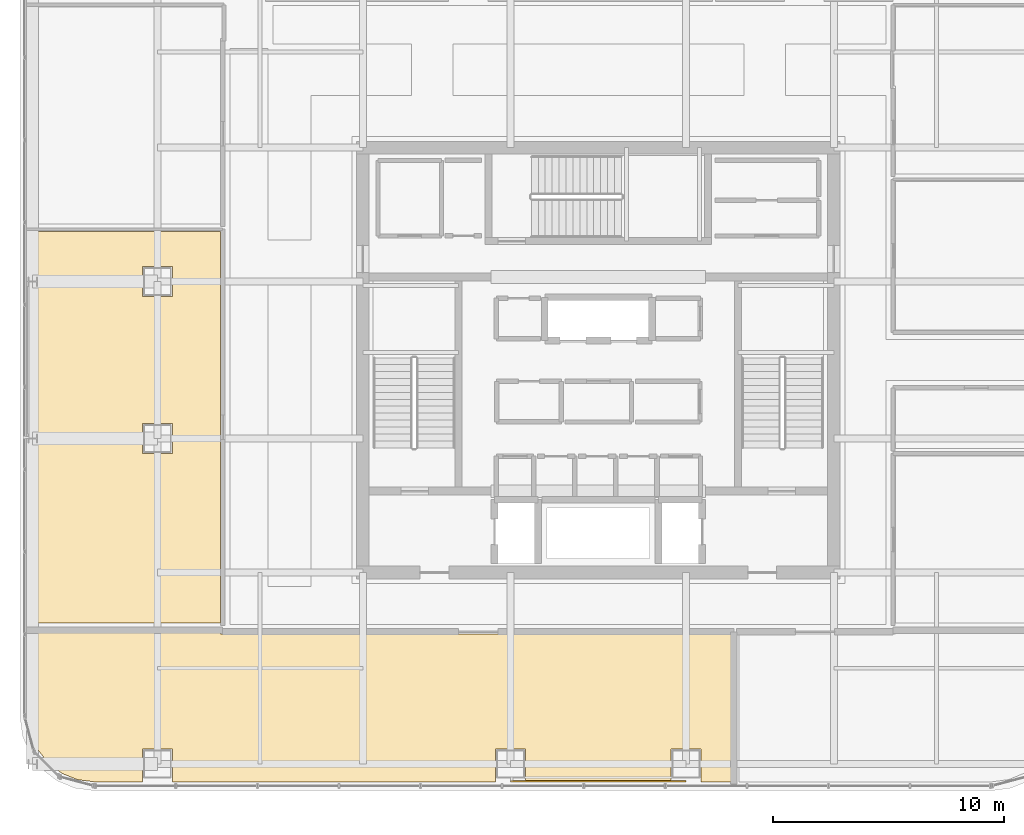
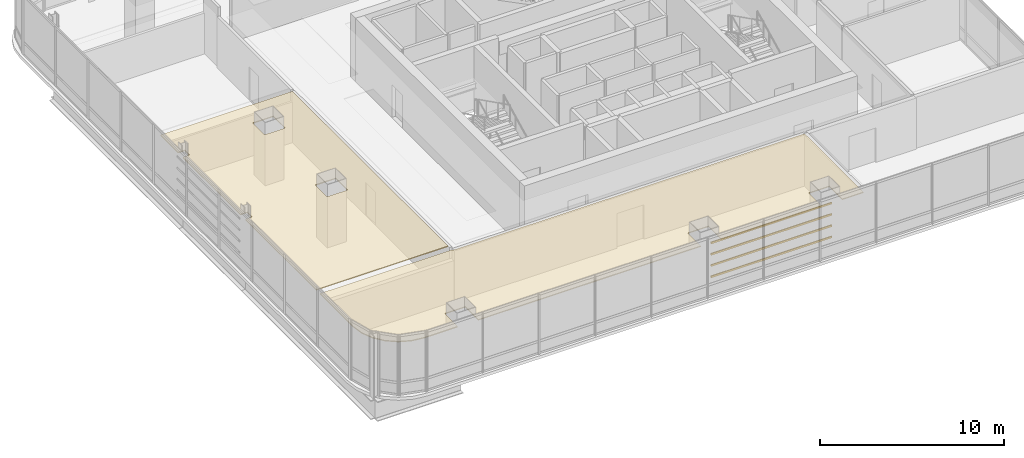
# One storey, part 38 of 42: 4 shading devices, 2 coverings.
"""IFC4 building model written with IfcOpenShell, lengths in metres."""

from ifc_helpers import new_model, si_unit, direction, frame, origin, origin_2d, place, context, subcontext, project, spatial, polyline, hollow_rectangle, outline, extrude, material, layer, layer_set, material_profile, profile_set, type_object, element, save


model = new_model("IFC4")

# Units and contexts
model_context = context("Model", 3, precision=1e-05, world=origin(), true_north=direction((0.0, 1.0)))
body_context = subcontext(model_context, "Body", "Model", "MODEL_VIEW")
ifc_project = project(units=[si_unit("LENGTHUNIT", "METRE"), si_unit("AREAUNIT", "SQUARE_METRE"), si_unit("VOLUMEUNIT", "CUBIC_METRE"), si_unit("PLANEANGLEUNIT", "RADIAN"), si_unit("MASSUNIT", "GRAM", prefix="KILO")], contexts=[model_context])

# Site, building, storey
site_placement = place(None, origin())
site = spatial("IfcSite", under=ifc_project, at=site_placement, CompositionType="ELEMENT")
building_placement = place(site_placement, origin())
building = spatial("IfcBuilding", under=site, at=building_placement, Name="Punatoya Terracotta Tower", CompositionType="ELEMENT")
storey_placement = place(building_placement, frame((0.0, 0.0, 304.800048828125)))
storey = spatial("IfcBuildingStorey", under=building, at=storey_placement, Name="L72", CompositionType="ELEMENT", Elevation=304.800048828125)

# Coverings
ifc_material_1 = material(Name="Acoustic Mineral Fibre Ceiling")
ifc_layer = layer(ifc_material_1, 0.06005859375)
ifc_layer_set = layer_set([ifc_layer], Name="Acoustic Mineral Fibre Ceiling")
covering_type = type_object("IfcCoveringType", Name="COV-CEIL-60", PredefinedType="CEILING", material=ifc_layer_set)
covering_1_placement = place(storey_placement, frame((0.0, 0.0, 3.389892578125)))
element("IfcCovering", 1, at=covering_1_placement, inside=storey, type_object=covering_type, Name="L72 Client Dining Salon Acoustic Ceiling", PredefinedType="CEILING", context=body_context, shape_type="SweptSolid", body=[
    extrude(outline(polyline([(-19.75, -18.27001953125), (-19.75, -16.85009765625), (-18.449951171875, -16.85009765625), (-18.449951171875, -18.27001953125), (-4.449951171875, -18.27001953125), (-4.449951171875, -16.85009765625), (-3.14990234375, -16.85009765625), (-3.14990234375, -18.27001953125), (3.14990234375, -18.27001953125), (3.14990234375, -16.85009765625), (4.449951171875, -16.85009765625), (4.449951171875, -18.27001953125), (5.77392578125, -18.27001953125), (5.77392578125, -11.8701171875), (-16.3701171875, -11.8701171875), (-16.3701171875, -11.81005859375), (-24.669921875, -11.81005859375), (-24.669921875, -15.425048828125), (-24.57080078125, -16.178955078125), (-24.289306640625, -16.8583984375), (-23.841796875, -17.441650390625), (-23.25830078125, -17.889404296875), (-22.5791015625, -18.1708984375), (-21.8251953125, -18.27001953125), (-19.75, -18.27001953125)])), origin(), (0.0, 0.0, 1.0), 0.06005859375),
])
covering_2_placement = place(storey_placement, frame((0.0, 0.0, 3.389892578125)))
element("IfcCovering", 2, at=covering_2_placement, inside=storey, type_object=covering_type, Name="L72 Open-Plan Visitor Reception Salon Acoustic Ceiling", PredefinedType="CEILING", context=body_context, shape_type="SweptSolid", body=[
    extrude(outline(polyline([(-24.669921875, -3.657958984375), (-24.669921875, -11.389892578125), (-16.3701171875, -11.389892578125), (-16.3701171875, 5.570068359375), (-24.669921875, 5.570068359375), (-24.669921875, 3.657958984375), (-24.2470703125, 3.657958984375), (-24.2470703125, 3.14208984375), (-24.669921875, 3.14208984375), (-24.669921875, -3.14208984375), (-24.2470703125, -3.14208984375), (-24.2470703125, -3.657958984375), (-24.669921875, -3.657958984375)]), holes=[polyline([(-18.449951171875, -4.050048828125), (-19.75, -4.050048828125), (-19.75, -2.75), (-18.449951171875, -2.75), (-18.449951171875, -4.050048828125)]), polyline([(-18.449951171875, 4.050048828125), (-18.449951171875, 2.75), (-19.75, 2.75), (-19.75, 4.050048828125), (-18.449951171875, 4.050048828125)])]), origin(), (0.0, 0.0, 1.0), 0.06005859375),
])

# Shading devices
ifc_material_2 = material(Name="Architectural Fired Terracotta", Category="masonry")
ifc_material_profile = material_profile(ifc_material_2, hollow_rectangle(XDim=0.06494140625, YDim=0.1201171875, WallThickness=0.014892578125, at=origin_2d()))
ifc_profile_set = profile_set([ifc_material_profile], Name="Architectural Fired Terracotta")
shading_device_type = type_object("IfcShadingDeviceType", Name="SHD-BAG-120", PredefinedType="USERDEFINED", material=ifc_profile_set)
for number, where, z_axis, x_axis, name in (
    (3, (-3.800048828125, -18.239990234375, 1.14990234375), (1.0, 0.0, 0.0), (0.0, 1.0, 0.0), "L72 Fired Terracotta Baguette Louvre BAG-L72-S-01"),
    (4, (-3.800048828125, -18.239990234375, 1.89990234375), (1.0, 0.0, 0.0), (0.0, 1.0, 0.0), "L72 Fired Terracotta Baguette Louvre BAG-L72-S-02"),
    (5, (-3.800048828125, -18.239990234375, 2.64990234375), (1.0, 0.0, 0.0), (0.0, 1.0, 0.0), "L72 Fired Terracotta Baguette Louvre BAG-L72-S-03"),
    (6, (-3.800048828125, -18.239990234375, 3.39990234375), (1.0, 0.0, 0.0), (0.0, 1.0, 0.0), "L72 Fired Terracotta Baguette Louvre BAG-L72-S-04"),
):
    element("IfcShadingDevice", number, at=place(storey_placement, frame(where, z_axis=z_axis, x_axis=x_axis)), inside=storey, type_object=shading_device_type, Name=name, ObjectType="BAGUETTE", PredefinedType="USERDEFINED", context=body_context, shape_type="SweptSolid", body=[
        extrude(hollow_rectangle(XDim=0.06494140625, YDim=0.1201171875, WallThickness=0.014892578125, at=origin_2d()), origin(), (0.0, 0.0, 1.0), 7.60009765625),
    ])

save(model, "model.ifc")
